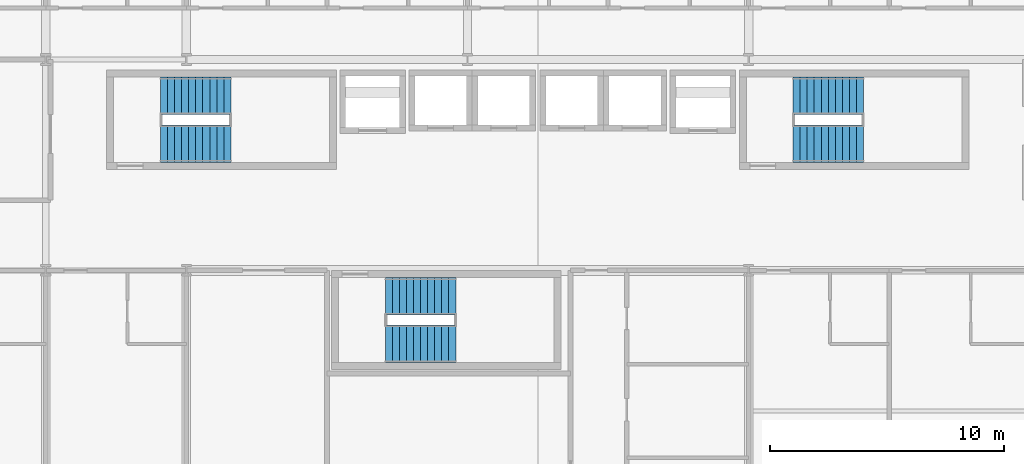
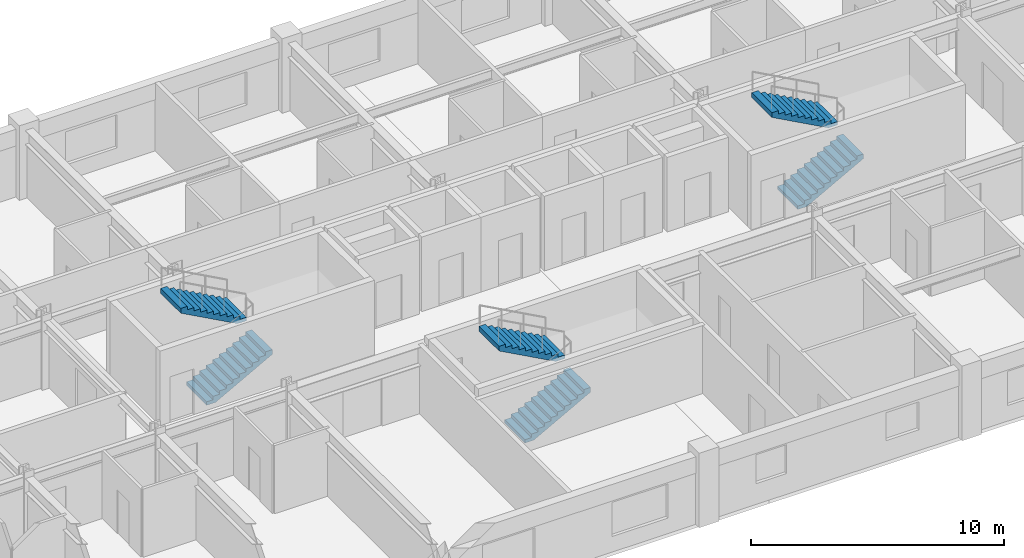
# One storey, part 21 of 22: 6 stair flights, 3 elements without a shape of their own.
"""IFC4 building model written with IfcOpenShell, lengths in metres."""

from ifc_helpers import new_model, si_unit, direction, frame, origin, place, context, subcontext, project, spatial, polyline, outline, extrude, material, type_object, element, aggregate, save


model = new_model("IFC4")

# Units and contexts
model_context = context("Model", 3, precision=1e-05, world=origin(), true_north=direction((0.0, 1.0)))
body_context = subcontext(model_context, "Body", "Model", "MODEL_VIEW")
ifc_project = project(units=[si_unit("LENGTHUNIT", "METRE"), si_unit("AREAUNIT", "SQUARE_METRE"), si_unit("VOLUMEUNIT", "CUBIC_METRE"), si_unit("PLANEANGLEUNIT", "RADIAN"), si_unit("MASSUNIT", "GRAM", prefix="KILO")], contexts=[model_context])

# Site, building, storey
site_placement = place(None, origin())
site = spatial("IfcSite", under=ifc_project, at=site_placement, CompositionType="ELEMENT")
building_placement = place(site_placement, origin())
building = spatial("IfcBuilding", under=site, at=building_placement, Name="Kaldorvane Square Convention Centre", CompositionType="ELEMENT")
storey_placement = place(building_placement, frame((0.0, 0.0, 31.199996948242188)))
storey = spatial("IfcBuildingStorey", under=building, at=storey_placement, Name="L06", CompositionType="ELEMENT", Elevation=31.199996948242188)

# Stair, stair flights
ifc_material = material(Name="Concrete f'c = 42 MPa (Normalweight)", Category="concrete")
stair_type = type_object("IfcStairType", Name="ST-DL-1600-3600", PredefinedType="HALF_TURN_STAIR", material=ifc_material)
stair_1_placement = place(storey_placement, origin())
stair_1 = element("IfcStair", 1, at=stair_1_placement, inside=storey, type_object=stair_type, Name="Tower Exit Stair T1 (L06)", PredefinedType="HALF_TURN_STAIR")
stair_flight_type = type_object("IfcStairFlightType", Name="SF-STR-1600-11R", PredefinedType="STRAIGHT", material=ifc_material)
stair_flight_1_placement = place(storey_placement, frame((40.899993896484375, 101.41000366210938, 0.0), z_axis=(0.0, 0.0, 1.0), x_axis=(1.0, 0.0, 0.0)))
stair_flight_1 = element("IfcStairFlight", 2, at=stair_flight_1_placement, type_object=stair_flight_type, Name="Tower Exit Stair T1 Flight 1 (L06)", NumberOfRisers=11, NumberOfTreads=10, PredefinedType="STRAIGHT", RiserHeight=0.163636364, TreadLength=0.3, context=body_context, shape_type="SweptSolid", body=[
    extrude(outline(polyline([(0.0, 0.0), (0.0, 0.16363525390625), (0.3000030517578125, 0.16363525390625), (0.3000030517578125, 0.3272705078125), (0.600006103515625, 0.3272705078125), (0.600006103515625, 0.49090576171875), (0.899993896484375, 0.49090576171875), (0.899993896484375, 0.654541015625), (1.1999969482421875, 0.654541015625), (1.1999969482421875, 0.81817626953125), (1.5, 0.81817626953125), (1.5, 0.9818115234375), (1.8000030517578125, 0.9818115234375), (1.8000030517578125, 1.1454620361328125), (2.100006103515625, 1.1454620361328125), (2.100006103515625, 1.3090972900390625), (2.399993896484375, 1.3090972900390625), (2.399993896484375, 1.4727325439453125), (2.6999969482421875, 1.4727325439453125), (2.6999969482421875, 1.6363677978515625), (3.0, 1.6363677978515625), (3.0, 1.8000030517578125), (3.0, 1.4085540771484375), (0.41766357421875, 0.0), (0.0, 0.0)])), frame((0.0, 0.8000030517578125, 0.0), z_axis=(0.0, -1.0, 0.0), x_axis=(1.0, 0.0, 0.0)), (0.0, 0.0, 1.0), 1.600006103515625),
])
stair_flight_2_placement = place(storey_placement, frame((43.899993896484375, 103.44999694824219, 1.8000030517578125), z_axis=(0.0, 0.0, 1.0), x_axis=(-1.0, 0.0, 0.0)))
stair_flight_2 = element("IfcStairFlight", 3, at=stair_flight_2_placement, type_object=stair_flight_type, Name="Tower Exit Stair T1 Flight 2 (L06)", NumberOfRisers=11, NumberOfTreads=10, PredefinedType="STRAIGHT", RiserHeight=0.163636364, TreadLength=0.3, context=body_context, shape_type="SweptSolid", body=[
    extrude(outline(polyline([(0.0, 0.0), (0.0, 0.16363525390625), (0.3000030517578125, 0.16363525390625), (0.3000030517578125, 0.3272705078125), (0.600006103515625, 0.3272705078125), (0.600006103515625, 0.49090576171875), (0.899993896484375, 0.49090576171875), (0.899993896484375, 0.654541015625), (1.1999969482421875, 0.654541015625), (1.1999969482421875, 0.81817626953125), (1.5, 0.81817626953125), (1.5, 0.9818115234375), (1.8000030517578125, 0.9818115234375), (1.8000030517578125, 1.1454620361328125), (2.100006103515625, 1.1454620361328125), (2.100006103515625, 1.3090972900390625), (2.399993896484375, 1.3090972900390625), (2.399993896484375, 1.4727325439453125), (2.6999969482421875, 1.4727325439453125), (2.6999969482421875, 1.6363677978515625), (3.0, 1.6363677978515625), (3.0, 1.8000030517578125), (3.0, 1.4085540771484375), (0.41766357421875, 0.0), (0.0, 0.0)])), frame((0.0, 0.8000030517578125, 0.0), z_axis=(0.0, -1.0, 0.0), x_axis=(1.0, 0.0, 0.0)), (0.0, 0.0, 1.0), 1.600006103515625),
])
aggregate(stair_1, [stair_flight_1, stair_flight_2])

stair_2_placement = place(storey_placement, origin())
stair_2 = element("IfcStair", 4, at=stair_2_placement, inside=storey, type_object=stair_type, Name="Tower Exit Stair T2 (L06)", PredefinedType="HALF_TURN_STAIR")
stair_flight_3_placement = place(storey_placement, frame((67.89999389648438, 101.41000366210938, 0.0), z_axis=(0.0, 0.0, 1.0), x_axis=(1.0, 0.0, 0.0)))
stair_flight_3 = element("IfcStairFlight", 5, at=stair_flight_3_placement, type_object=stair_flight_type, Name="Tower Exit Stair T2 Flight 1 (L06)", NumberOfRisers=11, NumberOfTreads=10, PredefinedType="STRAIGHT", RiserHeight=0.163636364, TreadLength=0.3, context=body_context, shape_type="SweptSolid", body=[
    extrude(outline(polyline([(0.0, 0.0), (0.0, 0.16363525390625), (0.3000030517578125, 0.16363525390625), (0.3000030517578125, 0.3272705078125), (0.600006103515625, 0.3272705078125), (0.600006103515625, 0.49090576171875), (0.899993896484375, 0.49090576171875), (0.899993896484375, 0.654541015625), (1.1999969482421875, 0.654541015625), (1.1999969482421875, 0.81817626953125), (1.5, 0.81817626953125), (1.5, 0.9818115234375), (1.8000030517578125, 0.9818115234375), (1.8000030517578125, 1.1454620361328125), (2.100006103515625, 1.1454620361328125), (2.100006103515625, 1.3090972900390625), (2.399993896484375, 1.3090972900390625), (2.399993896484375, 1.4727325439453125), (2.6999969482421875, 1.4727325439453125), (2.6999969482421875, 1.6363677978515625), (3.0, 1.6363677978515625), (3.0, 1.8000030517578125), (3.0, 1.4085540771484375), (0.41766357421875, 0.0), (0.0, 0.0)])), frame((0.0, 0.8000030517578125, 0.0), z_axis=(0.0, -1.0, 0.0), x_axis=(1.0, 0.0, 0.0)), (0.0, 0.0, 1.0), 1.600006103515625),
])
stair_flight_4_placement = place(storey_placement, frame((70.89999389648438, 103.44999694824219, 1.8000030517578125), z_axis=(0.0, 0.0, 1.0), x_axis=(-1.0, 0.0, 0.0)))
stair_flight_4 = element("IfcStairFlight", 6, at=stair_flight_4_placement, type_object=stair_flight_type, Name="Tower Exit Stair T2 Flight 2 (L06)", NumberOfRisers=11, NumberOfTreads=10, PredefinedType="STRAIGHT", RiserHeight=0.163636364, TreadLength=0.3, context=body_context, shape_type="SweptSolid", body=[
    extrude(outline(polyline([(0.0, 0.0), (0.0, 0.16363525390625), (0.3000030517578125, 0.16363525390625), (0.3000030517578125, 0.3272705078125), (0.600006103515625, 0.3272705078125), (0.600006103515625, 0.49090576171875), (0.899993896484375, 0.49090576171875), (0.899993896484375, 0.654541015625), (1.1999969482421875, 0.654541015625), (1.1999969482421875, 0.81817626953125), (1.5, 0.81817626953125), (1.5, 0.9818115234375), (1.8000030517578125, 0.9818115234375), (1.8000030517578125, 1.1454620361328125), (2.100006103515625, 1.1454620361328125), (2.100006103515625, 1.3090972900390625), (2.399993896484375, 1.3090972900390625), (2.399993896484375, 1.4727325439453125), (2.6999969482421875, 1.4727325439453125), (2.6999969482421875, 1.6363677978515625), (3.0, 1.6363677978515625), (3.0, 1.8000030517578125), (3.0, 1.4085540771484375), (0.41766357421875, 0.0), (0.0, 0.0)])), frame((0.0, 0.8000030517578125, 0.0), z_axis=(0.0, -1.0, 0.0), x_axis=(1.0, 0.0, 0.0)), (0.0, 0.0, 1.0), 1.600006103515625),
])
aggregate(stair_2, [stair_flight_3, stair_flight_4])

stair_3_placement = place(storey_placement, origin())
stair_3 = element("IfcStair", 7, at=stair_3_placement, inside=storey, type_object=stair_type, Name="Tower Exit Stair T3 (L06)", PredefinedType="HALF_TURN_STAIR")
stair_flight_5_placement = place(storey_placement, frame((50.5, 92.86000061035156, 0.0), z_axis=(0.0, 0.0, 1.0), x_axis=(1.0, 0.0, 0.0)))
stair_flight_5 = element("IfcStairFlight", 8, at=stair_flight_5_placement, type_object=stair_flight_type, Name="Tower Exit Stair T3 Flight 1 (L06)", NumberOfRisers=11, NumberOfTreads=10, PredefinedType="STRAIGHT", RiserHeight=0.163636364, TreadLength=0.3, context=body_context, shape_type="SweptSolid", body=[
    extrude(outline(polyline([(0.0, 0.0), (0.0, 0.16363525390625), (0.3000030517578125, 0.16363525390625), (0.3000030517578125, 0.3272705078125), (0.600006103515625, 0.3272705078125), (0.600006103515625, 0.49090576171875), (0.899993896484375, 0.49090576171875), (0.899993896484375, 0.654541015625), (1.1999969482421875, 0.654541015625), (1.1999969482421875, 0.81817626953125), (1.5, 0.81817626953125), (1.5, 0.9818115234375), (1.8000030517578125, 0.9818115234375), (1.8000030517578125, 1.1454620361328125), (2.100006103515625, 1.1454620361328125), (2.100006103515625, 1.3090972900390625), (2.399993896484375, 1.3090972900390625), (2.399993896484375, 1.4727325439453125), (2.6999969482421875, 1.4727325439453125), (2.6999969482421875, 1.6363677978515625), (3.0, 1.6363677978515625), (3.0, 1.8000030517578125), (3.0, 1.4085540771484375), (0.41766357421875, 0.0), (0.0, 0.0)])), frame((0.0, 0.8000030517578125, 0.0), z_axis=(0.0, -1.0, 0.0), x_axis=(1.0, 0.0, 0.0)), (0.0, 0.0, 1.0), 1.600006103515625),
])
stair_flight_6_placement = place(storey_placement, frame((53.5, 94.89999389648438, 1.8000030517578125), z_axis=(0.0, 0.0, 1.0), x_axis=(-1.0, 0.0, 0.0)))
stair_flight_6 = element("IfcStairFlight", 9, at=stair_flight_6_placement, type_object=stair_flight_type, Name="Tower Exit Stair T3 Flight 2 (L06)", NumberOfRisers=11, NumberOfTreads=10, PredefinedType="STRAIGHT", RiserHeight=0.163636364, TreadLength=0.3, context=body_context, shape_type="SweptSolid", body=[
    extrude(outline(polyline([(0.0, 0.0), (0.0, 0.16363525390625), (0.3000030517578125, 0.16363525390625), (0.3000030517578125, 0.3272705078125), (0.600006103515625, 0.3272705078125), (0.600006103515625, 0.49090576171875), (0.899993896484375, 0.49090576171875), (0.899993896484375, 0.654541015625), (1.1999969482421875, 0.654541015625), (1.1999969482421875, 0.81817626953125), (1.5, 0.81817626953125), (1.5, 0.9818115234375), (1.8000030517578125, 0.9818115234375), (1.8000030517578125, 1.1454620361328125), (2.100006103515625, 1.1454620361328125), (2.100006103515625, 1.3090972900390625), (2.399993896484375, 1.3090972900390625), (2.399993896484375, 1.4727325439453125), (2.6999969482421875, 1.4727325439453125), (2.6999969482421875, 1.6363677978515625), (3.0, 1.6363677978515625), (3.0, 1.8000030517578125), (3.0, 1.4085540771484375), (0.41766357421875, 0.0), (0.0, 0.0)])), frame((0.0, 0.8000030517578125, 0.0), z_axis=(0.0, -1.0, 0.0), x_axis=(1.0, 0.0, 0.0)), (0.0, 0.0, 1.0), 1.600006103515625),
])
aggregate(stair_3, [stair_flight_5, stair_flight_6])

save(model, "model.ifc")
